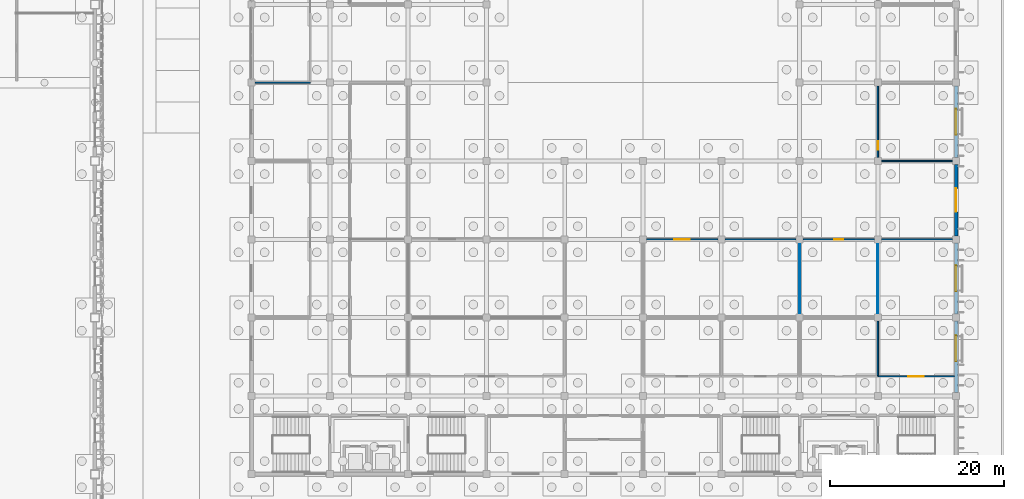
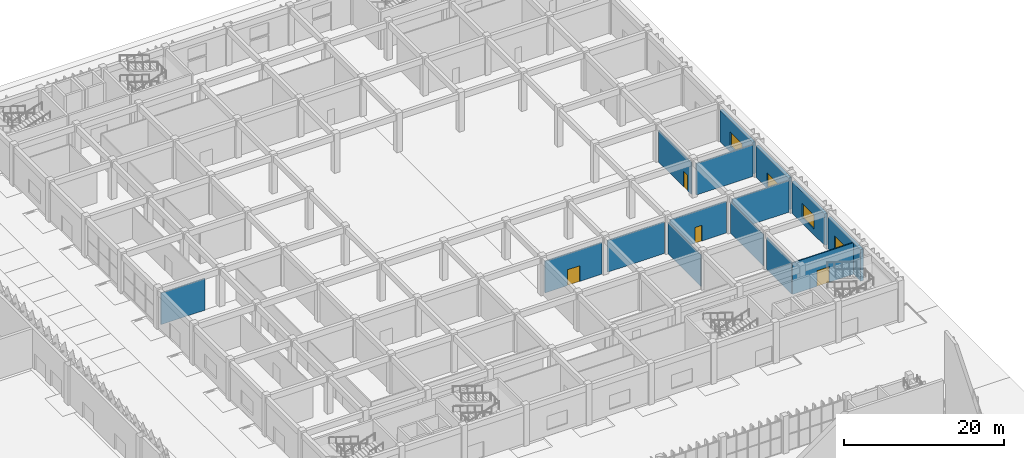
# One storey, part 104 of 198: 15 walls, 5 doors, 3 windows, 8 openings.
"""IFC4 building model written with IfcOpenShell, lengths in metres."""

from ifc_helpers import new_model, si_unit, direction, frame, frame_2d, origin, place, context, subcontext, project, spatial, rectangle, extrude, material, layer, layer_set, type_object, element, fill, save


model = new_model("IFC4")

# Units and contexts
model_context = context("Model", 3, precision=1e-05, world=origin(), true_north=direction((0.0, 1.0)))
body_context = subcontext(model_context, "Body", "Model", "MODEL_VIEW")
ifc_project = project(units=[si_unit("LENGTHUNIT", "METRE"), si_unit("AREAUNIT", "SQUARE_METRE"), si_unit("VOLUMEUNIT", "CUBIC_METRE"), si_unit("PLANEANGLEUNIT", "RADIAN"), si_unit("MASSUNIT", "GRAM", prefix="KILO")], contexts=[model_context])

# Site, building, storey
site_placement = place(None, origin())
site = spatial("IfcSite", under=ifc_project, at=site_placement, CompositionType="ELEMENT")
building_placement = place(site_placement, origin())
building = spatial("IfcBuilding", under=site, at=building_placement, Name="Opaline Strait Convention Centre", CompositionType="ELEMENT")
storey_placement = place(building_placement, origin())
storey = spatial("IfcBuildingStorey", under=building, at=storey_placement, Name="L00", CompositionType="ELEMENT", Elevation=0.0)

# Wall
ifc_material_1 = material(Name="Gypsum board")
ifc_layer_1 = layer(ifc_material_1, 0.032470703125)
ifc_material_2 = material(Name="Steel stud and mineral wool", Category="steel")
ifc_layer_2 = layer(ifc_material_2, 0.0849609375)
ifc_layer_3 = layer(ifc_material_1, 0.032470703125)
ifc_layer_set_1 = layer_set([ifc_layer_1, ifc_layer_2, ifc_layer_3], Name="Gypsum board, Steel stud and mineral wool, Gypsum board")
wall_type_1 = type_object("IfcWallType", Name="Corridor partition 150 EI60", PredefinedType="PARTITIONING", material=ifc_layer_set_1)
wall_1_placement = place(storey_placement, frame((279.39990234375, 135.0, 0.0), z_axis=(0.0, 0.0, 1.0), x_axis=(1.0, 0.0, 0.0)))
element("IfcWall", 1, at=wall_1_placement, inside=storey, type_object=wall_type_1, Name="MPW1 partition Delegate Lounge 0.04 S", PredefinedType="PARTITIONING", context=body_context, shape_type="SweptSolid", body=[
    extrude(rectangle(XDim=6.35009765625, YDim=0.14990234375, at=frame_2d((3.175048828125, 0.0))), origin(), (0.0, 0.0, 1.0), 4.820068359375),
])

# Wall, opening, door
wall_2_placement = place(storey_placement, frame((324.39990234375, 117.0, 0.0), z_axis=(0.0, 0.0, 1.0), x_axis=(1.0, 0.0, 0.0)))
wall_2 = element("IfcWall", 2, at=wall_2_placement, inside=storey, type_object=wall_type_1, Name="MPW1 partition Delegate Lounge 0.17 N", PredefinedType="PARTITIONING", context=body_context, shape_type="SweptSolid", body=[
    extrude(rectangle(XDim=8.2001953125, YDim=0.14990234375, at=frame_2d((4.10009765625, 0.0))), origin(), (0.0, 0.0, 1.0), 4.820068359375),
])
opening_1_placement = place(wall_2_placement, frame((3.2001953125, 0.0, 0.0)))
opening_1 = element("IfcOpeningElement", 3, at=opening_1_placement, cuts=wall_2, Name="Opening M0-051", PredefinedType="OPENING", context=body_context, shape_type="SweptSolid", body=[
    extrude(rectangle(XDim=1.800048828125, YDim=2.39990234375, at=frame_2d((0.89990234375, 1.199951171875))), frame((0.0, 0.0849609375, 0.0), z_axis=(0.0, -1.0, 0.0), x_axis=(1.0, 0.0, 0.0)), (0.0, 0.0, 1.0), 0.169921875),
])
ifc_material_3 = material(Name="Solid-core timber leaf, steel frame door set", Category="steel")
door_type_1 = type_object("IfcDoorType", Name="Meeting room double door FD30 1800 x 2400", OperationType="DOUBLE_DOOR_SINGLE_SWING", PredefinedType="DOOR", material=ifc_material_3)
door_1_placement = place(opening_1_placement, origin())
door_1 = element("IfcDoor", 4, at=door_1_placement, inside=storey, type_object=door_type_1, Name="Door Delegate Lounge 0.17", ObjectType="MD7", OperationType="DOUBLE_DOOR_SINGLE_SWING", OverallHeight=2.39990234375, OverallWidth=1.800048828125, PredefinedType="DOOR", context=body_context, shape_type="SweptSolid", body=[
    extrude(rectangle(XDim=1.800048828125, YDim=2.39990234375, at=frame_2d((0.89990234375, 1.199951171875))), frame((0.0, 0.02490234375, 0.0), z_axis=(0.0, -1.0, 0.0), x_axis=(1.0, 0.0, 0.0)), (0.0, 0.0, 1.0), 0.050048828125),
])
fill(opening_1, door_1)

# Wall
wall_3_placement = place(storey_placement, frame((333.39990234375, 117.0, 0.0), z_axis=(0.0, 0.0, 1.0), x_axis=(1.0, 0.0, 0.0)))
element("IfcWall", 5, at=wall_3_placement, inside=storey, type_object=wall_type_1, Name="MPW1 partition Delegate Lounge 0.17 N", PredefinedType="PARTITIONING", context=body_context, shape_type="SweptSolid", body=[
    extrude(rectangle(XDim=8.2001953125, YDim=0.14990234375, at=frame_2d((4.10009765625, 0.0))), origin(), (0.0, 0.0, 1.0), 4.820068359375),
])

# Wall, opening, door
wall_4_placement = place(storey_placement, frame((342.39990234375, 117.0, 0.0), z_axis=(0.0, 0.0, 1.0), x_axis=(1.0, 0.0, 0.0)))
wall_4 = element("IfcWall", 6, at=wall_4_placement, inside=storey, type_object=wall_type_1, Name="MPW1 partition Medical Room 0.18 N", PredefinedType="PARTITIONING", context=body_context, shape_type="SweptSolid", body=[
    extrude(rectangle(XDim=8.2001953125, YDim=0.14990234375, at=frame_2d((4.10009765625, 0.0))), origin(), (0.0, 0.0, 1.0), 4.820068359375),
])
opening_2_placement = place(wall_4_placement, frame((3.60009765625, 0.0, 0.0)))
opening_2 = element("IfcOpeningElement", 7, at=opening_2_placement, cuts=wall_4, Name="Opening M0-052", PredefinedType="OPENING", context=body_context, shape_type="SweptSolid", body=[
    extrude(rectangle(XDim=1.0, YDim=2.39990234375, at=frame_2d((0.5, 1.199951171875))), frame((0.0, 0.0849609375, 0.0), z_axis=(0.0, -1.0, 0.0), x_axis=(1.0, 0.0, 0.0)), (0.0, 0.0, 1.0), 0.169921875),
])
door_type_2 = type_object("IfcDoorType", Name="Meeting room door FD30 1000 x 2400", OperationType="SINGLE_SWING_LEFT", PredefinedType="DOOR", material=ifc_material_3)
door_2_placement = place(opening_2_placement, origin())
door_2 = element("IfcDoor", 8, at=door_2_placement, inside=storey, type_object=door_type_2, Name="Door Medical Room 0.18", ObjectType="MD8", OperationType="SINGLE_SWING_LEFT", OverallHeight=2.39990234375, OverallWidth=1.0, PredefinedType="DOOR", context=body_context, shape_type="SweptSolid", body=[
    extrude(rectangle(XDim=1.0, YDim=2.39990234375, at=frame_2d((0.5, 1.199951171875))), frame((0.0, 0.02490234375, 0.0), z_axis=(0.0, -1.0, 0.0), x_axis=(1.0, 0.0, 0.0)), (0.0, 0.0, 1.0), 0.050048828125),
])
fill(opening_2, door_2)

# Wall
wall_5_placement = place(storey_placement, frame((351.39990234375, 126.0, 0.0), z_axis=(0.0, 0.0, 1.0), x_axis=(1.0, 0.0, 0.0)))
element("IfcWall", 9, at=wall_5_placement, inside=storey, type_object=wall_type_1, Name="MPW1 partition Press Room 0.24 S", PredefinedType="PARTITIONING", context=body_context, shape_type="SweptSolid", body=[
    extrude(rectangle(XDim=8.2001953125, YDim=0.14990234375, at=frame_2d((4.10009765625, 0.0))), origin(), (0.0, 0.0, 1.0), 4.820068359375),
])

# Wall, opening, door
wall_6_placement = place(storey_placement, frame((351.0, 126.39990234375, 0.0), z_axis=(0.0, 0.0, 1.0), x_axis=(0.0, 1.0, 0.0)))
wall_6 = element("IfcWall", 10, at=wall_6_placement, inside=storey, type_object=wall_type_1, Name="MPW1 partition Press Room 0.24 W", PredefinedType="PARTITIONING", context=body_context, shape_type="SweptSolid", body=[
    extrude(rectangle(XDim=8.2001953125, YDim=0.14990234375, at=frame_2d((4.10009765625, 0.0))), origin(), (0.0, 0.0, 1.0), 4.820068359375),
])
opening_3_placement = place(wall_6_placement, frame((0.89990234375, 0.0, 0.0)))
opening_3 = element("IfcOpeningElement", 11, at=opening_3_placement, cuts=wall_6, Name="Opening M0-057", PredefinedType="OPENING", context=body_context, shape_type="SweptSolid", body=[
    extrude(rectangle(XDim=1.0, YDim=2.39990234375, at=frame_2d((0.5, 1.199951171875))), frame((0.0, 0.0849609375, 0.0), z_axis=(0.0, -1.0, 0.0), x_axis=(1.0, 0.0, 0.0)), (0.0, 0.0, 1.0), 0.169921875),
])
door_3_placement = place(opening_3_placement, origin())
door_3 = element("IfcDoor", 12, at=door_3_placement, inside=storey, type_object=door_type_2, Name="Door Press Room 0.24", ObjectType="MD8", OperationType="SINGLE_SWING_LEFT", OverallHeight=2.39990234375, OverallWidth=1.0, PredefinedType="DOOR", context=body_context, shape_type="SweptSolid", body=[
    extrude(rectangle(XDim=1.0, YDim=2.39990234375, at=frame_2d((0.5, 1.199951171875))), frame((0.0, 0.02490234375, 0.0), z_axis=(0.0, -1.0, 0.0), x_axis=(1.0, 0.0, 0.0)), (0.0, 0.0, 1.0), 0.050048828125),
])
fill(opening_3, door_3)

wall_7_placement = place(storey_placement, frame((351.0, 101.25, 0.0), z_axis=(0.0, 0.0, 1.0), x_axis=(1.0, 0.0, 0.0)))
wall_7 = element("IfcWall", 13, at=wall_7_placement, inside=storey, type_object=wall_type_1, Name="MPW1 partition Business Services Desk 0.28 S", PredefinedType="PARTITIONING", context=body_context, shape_type="SweptSolid", body=[
    extrude(rectangle(XDim=8.800048828125, YDim=0.14990234375, at=frame_2d((4.39990234375, 0.0))), origin(), (0.0, 0.0, 1.0), 4.820068359375),
])
opening_4_placement = place(wall_7_placement, frame((3.5, 0.0, 0.0)))
opening_4 = element("IfcOpeningElement", 14, at=opening_4_placement, cuts=wall_7, Name="Opening M0-059", PredefinedType="OPENING", context=body_context, shape_type="SweptSolid", body=[
    extrude(rectangle(XDim=1.800048828125, YDim=2.39990234375, at=frame_2d((0.89990234375, 1.199951171875))), frame((0.0, 0.0849609375, 0.0), z_axis=(0.0, -1.0, 0.0), x_axis=(1.0, 0.0, 0.0)), (0.0, 0.0, 1.0), 0.169921875),
])
door_4_placement = place(opening_4_placement, frame((1.800048828125, 0.0, 0.0), z_axis=(0.0, 0.0, 1.0), x_axis=(-1.0, 0.0, 0.0)))
door_4 = element("IfcDoor", 15, at=door_4_placement, inside=storey, type_object=door_type_1, Name="Door Business Services Desk 0.28", ObjectType="MD7", OperationType="DOUBLE_DOOR_SINGLE_SWING", OverallHeight=2.39990234375, OverallWidth=1.800048828125, PredefinedType="DOOR", context=body_context, shape_type="SweptSolid", body=[
    extrude(rectangle(XDim=1.800048828125, YDim=2.39990234375, at=frame_2d((0.89990234375, 1.199951171875))), frame((0.0, 0.02490234375, 0.0), z_axis=(0.0, -1.0, 0.0), x_axis=(1.0, 0.0, 0.0)), (0.0, 0.0, 1.0), 0.050048828125),
])
fill(opening_4, door_4)

# Wall
wall_8_placement = place(storey_placement, frame((351.39990234375, 117.0, 0.0), z_axis=(0.0, 0.0, 1.0), x_axis=(1.0, 0.0, 0.0)))
element("IfcWall", 16, at=wall_8_placement, inside=storey, type_object=wall_type_1, Name="MPW1 partition Business Services Desk 0.28 N", PredefinedType="PARTITIONING", context=body_context, shape_type="SweptSolid", body=[
    extrude(rectangle(XDim=8.2001953125, YDim=0.14990234375, at=frame_2d((4.10009765625, 0.0))), origin(), (0.0, 0.0, 1.0), 4.820068359375),
])

# Wall, opening, window
ifc_material_4 = material(Name="Concrete C40 precast", Category="concrete")
ifc_layer_4 = layer(ifc_material_4, 0.10009765625)
ifc_material_5 = material(Name="Mineral wool insulation")
ifc_layer_5 = layer(ifc_material_5, 0.14990234375)
ifc_layer_6 = layer(ifc_material_4, 0.14990234375)
ifc_layer_set_2 = layer_set([ifc_layer_4, ifc_layer_5, ifc_layer_6], Name="Concrete C40 precast, Mineral wool insulation, Concrete C40 precast")
wall_type_2 = type_object("IfcWallType", Name="External wall 400 insulated precast EI60", PredefinedType="STANDARD", material=ifc_layer_set_2)
wall_9_placement = place(storey_placement, frame((360.0, 99.39990234375, 0.0), z_axis=(0.0, 0.0, 1.0), x_axis=(0.0, 1.0, 0.0)))
wall_9 = element("IfcWall", 17, at=wall_9_placement, inside=storey, type_object=wall_type_2, Name="External wall E L00 41/M", PredefinedType="STANDARD", context=body_context, shape_type="SweptSolid", body=[
    extrude(rectangle(XDim=8.2001953125, YDim=0.39990234375, at=frame_2d((4.10009765625, 0.0))), origin(), (0.0, 0.0, 1.0), 4.820068359375),
])
opening_5_placement = place(wall_9_placement, frame((3.5625, 0.0, 0.89990234375)))
opening_5 = element("IfcOpeningElement", 18, at=opening_5_placement, cuts=wall_9, Name="Opening MW2", PredefinedType="OPENING", context=body_context, shape_type="SweptSolid", body=[
    extrude(rectangle(XDim=3.0, YDim=2.10009765625, at=frame_2d((1.5, 1.050048828125))), frame((0.0, 0.2099609375, 0.0), z_axis=(0.0, -1.0, 0.0), x_axis=(1.0, 0.0, 0.0)), (0.0, 0.0, 1.0), 0.419921875),
])
ifc_material_6 = material(Name="Aluminium framed double glazing", Category="aluminium")
window_type = type_object("IfcWindowType", Name="Window 3000 x 2100", PartitioningType="TRIPLE_PANEL_VERTICAL", PredefinedType="WINDOW", material=ifc_material_6)
window_1_placement = place(opening_5_placement, origin())
window_1 = element("IfcWindow", 19, at=window_1_placement, inside=storey, type_object=window_type, Name="Window Business Services Desk 0.28 E", OverallHeight=2.10009765625, OverallWidth=3.0, PartitioningType="TRIPLE_PANEL_VERTICAL", PredefinedType="WINDOW", context=body_context, shape_type="SweptSolid", body=[
    extrude(rectangle(XDim=3.0, YDim=2.10009765625, at=frame_2d((1.5, 1.050048828125))), frame((0.0, 0.030029296875, 0.0), z_axis=(0.0, -1.0, 0.0), x_axis=(1.0, 0.0, 0.0)), (0.0, 0.0, 1.0), 0.06005859375),
])
fill(opening_5, window_1)

wall_10_placement = place(storey_placement, frame((360.0, 108.39990234375, 0.0), z_axis=(0.0, 0.0, 1.0), x_axis=(0.0, 1.0, 0.0)))
wall_10 = element("IfcWall", 20, at=wall_10_placement, inside=storey, type_object=wall_type_2, Name="External wall E L00 41/N", PredefinedType="STANDARD", context=body_context, shape_type="SweptSolid", body=[
    extrude(rectangle(XDim=8.2001953125, YDim=0.39990234375, at=frame_2d((4.10009765625, 0.0))), origin(), (0.0, 0.0, 1.0), 4.820068359375),
])
opening_6_placement = place(wall_10_placement, frame((2.60009765625, 0.0, 0.89990234375)))
opening_6 = element("IfcOpeningElement", 21, at=opening_6_placement, cuts=wall_10, Name="Opening MW2", PredefinedType="OPENING", context=body_context, shape_type="SweptSolid", body=[
    extrude(rectangle(XDim=3.0, YDim=2.10009765625, at=frame_2d((1.5, 1.050048828125))), frame((0.0, 0.2099609375, 0.0), z_axis=(0.0, -1.0, 0.0), x_axis=(1.0, 0.0, 0.0)), (0.0, 0.0, 1.0), 0.419921875),
])
window_2_placement = place(opening_6_placement, origin())
window_2 = element("IfcWindow", 22, at=window_2_placement, inside=storey, type_object=window_type, Name="Window Business Services Desk 0.28 E", OverallHeight=2.10009765625, OverallWidth=3.0, PartitioningType="TRIPLE_PANEL_VERTICAL", PredefinedType="WINDOW", context=body_context, shape_type="SweptSolid", body=[
    extrude(rectangle(XDim=3.0, YDim=2.10009765625, at=frame_2d((1.5, 1.050048828125))), frame((0.0, 0.030029296875, 0.0), z_axis=(0.0, -1.0, 0.0), x_axis=(1.0, 0.0, 0.0)), (0.0, 0.0, 1.0), 0.06005859375),
])
fill(opening_6, window_2)

# Wall, opening, door
wall_11_placement = place(storey_placement, frame((360.0, 117.39990234375, 0.0), z_axis=(0.0, 0.0, 1.0), x_axis=(0.0, 1.0, 0.0)))
wall_11 = element("IfcWall", 23, at=wall_11_placement, inside=storey, type_object=wall_type_2, Name="External wall E L00 41/P", PredefinedType="STANDARD", context=body_context, shape_type="SweptSolid", body=[
    extrude(rectangle(XDim=8.2001953125, YDim=0.39990234375, at=frame_2d((4.10009765625, 0.0))), origin(), (0.0, 0.0, 1.0), 4.820068359375),
])
opening_7_placement = place(wall_11_placement, frame((2.75, 0.0, 0.0)))
opening_7 = element("IfcOpeningElement", 24, at=opening_7_placement, cuts=wall_11, Name="Opening M0-015", PredefinedType="OPENING", context=body_context, shape_type="SweptSolid", body=[
    extrude(rectangle(XDim=2.699951171875, YDim=2.39990234375, at=frame_2d((1.35009765625, 1.199951171875))), frame((0.0, 0.2099609375, 0.0), z_axis=(0.0, -1.0, 0.0), x_axis=(1.0, 0.0, 0.0)), (0.0, 0.0, 1.0), 0.419921875),
])
ifc_material_7 = material(Name="Fire-resisting glazed aluminium door", Category="aluminium")
door_type_3 = type_object("IfcDoorType", Name="Exit double door FD60 2700 x 2400", OperationType="DOUBLE_DOOR_SINGLE_SWING", PredefinedType="DOOR", material=ifc_material_7)
door_5_placement = place(opening_7_placement, frame((2.699951171875, 0.0, 0.0), z_axis=(0.0, 0.0, 1.0), x_axis=(-1.0, 0.0, 0.0)))
door_5 = element("IfcDoor", 25, at=door_5_placement, inside=storey, type_object=door_type_3, Name="Exit door Exit Lobby 0.23", ObjectType="MD3", OperationType="DOUBLE_DOOR_SINGLE_SWING", OverallHeight=2.39990234375, OverallWidth=2.699951171875, PredefinedType="DOOR", context=body_context, shape_type="SweptSolid", body=[
    extrude(rectangle(XDim=2.699951171875, YDim=2.39990234375, at=frame_2d((1.35009765625, 1.199951171875))), frame((0.0, 0.02490234375, 0.0), z_axis=(0.0, -1.0, 0.0), x_axis=(1.0, 0.0, 0.0)), (0.0, 0.0, 1.0), 0.050048828125),
])
fill(opening_7, door_5)

# Wall, opening, window
wall_12_placement = place(storey_placement, frame((360.0, 126.39990234375, 0.0), z_axis=(0.0, 0.0, 1.0), x_axis=(0.0, 1.0, 0.0)))
wall_12 = element("IfcWall", 26, at=wall_12_placement, inside=storey, type_object=wall_type_2, Name="External wall E L00 41/Q", PredefinedType="STANDARD", context=body_context, shape_type="SweptSolid", body=[
    extrude(rectangle(XDim=8.2001953125, YDim=0.39990234375, at=frame_2d((4.10009765625, 0.0))), origin(), (0.0, 0.0, 1.0), 4.820068359375),
])
opening_8_placement = place(wall_12_placement, frame((2.60009765625, 0.0, 0.89990234375)))
opening_8 = element("IfcOpeningElement", 27, at=opening_8_placement, cuts=wall_12, Name="Opening MW2", PredefinedType="OPENING", context=body_context, shape_type="SweptSolid", body=[
    extrude(rectangle(XDim=3.0, YDim=2.10009765625, at=frame_2d((1.5, 1.050048828125))), frame((0.0, 0.2099609375, 0.0), z_axis=(0.0, -1.0, 0.0), x_axis=(1.0, 0.0, 0.0)), (0.0, 0.0, 1.0), 0.419921875),
])
window_3_placement = place(opening_8_placement, origin())
window_3 = element("IfcWindow", 28, at=window_3_placement, inside=storey, type_object=window_type, Name="Window Press Room 0.24 E", OverallHeight=2.10009765625, OverallWidth=3.0, PartitioningType="TRIPLE_PANEL_VERTICAL", PredefinedType="WINDOW", context=body_context, shape_type="SweptSolid", body=[
    extrude(rectangle(XDim=3.0, YDim=2.10009765625, at=frame_2d((1.5, 1.050048828125))), frame((0.0, 0.030029296875, 0.0), z_axis=(0.0, -1.0, 0.0), x_axis=(1.0, 0.0, 0.0)), (0.0, 0.0, 1.0), 0.06005859375),
])
fill(opening_8, window_3)

# Walls
ifc_layer_7 = layer(ifc_material_1, 0.032470703125)
ifc_layer_8 = layer(ifc_material_2, 0.0849609375)
ifc_layer_9 = layer(ifc_material_1, 0.032470703125)
ifc_layer_set_3 = layer_set([ifc_layer_7, ifc_layer_8, ifc_layer_9], Name="Gypsum board, Steel stud and mineral wool, Gypsum board")
wall_type_3 = type_object("IfcWallType", Name="Plant room partition 150 EI120", PredefinedType="PARTITIONING", material=ifc_layer_set_3)
wall_13_placement = place(storey_placement, frame((351.0, 101.324951171875, 0.0), z_axis=(0.0, 0.0, 1.0), x_axis=(0.0, 1.0, 0.0)))
element("IfcWall", 29, at=wall_13_placement, inside=storey, type_object=wall_type_3, Name="MPW3 partition Riser Room 0.15 E", PredefinedType="PARTITIONING", context=body_context, shape_type="SweptSolid", body=[
    extrude(rectangle(XDim=6.275146484375, YDim=0.14990234375, at=frame_2d((3.1376953125, 0.0))), origin(), (0.0, 0.0, 1.0), 4.820068359375),
])
ifc_layer_10 = layer(ifc_material_1, 0.012451171875)
ifc_layer_11 = layer(ifc_material_2, 0.074951171875)
ifc_layer_12 = layer(ifc_material_1, 0.012451171875)
ifc_layer_set_4 = layer_set([ifc_layer_10, ifc_layer_11, ifc_layer_12], Name="Gypsum board, Steel stud and mineral wool, Gypsum board")
wall_type_4 = type_object("IfcWallType", Name="Room partition 100 EI45", PredefinedType="PARTITIONING", material=ifc_layer_set_4)
for number, where, z_axis, x_axis, name in (
    (30, (342.0, 108.39990234375, 0.0), (0.0, 0.0, 1.0), (0.0, 1.0, 0.0), "MPW2 partition Delegate Lounge 0.17 E"),
    (31, (351.0, 108.39990234375, 0.0), (0.0, 0.0, 1.0), (0.0, 1.0, 0.0), "MPW2 partition Medical Room 0.18 E"),
):
    element("IfcWall", number, at=place(storey_placement, frame(where, z_axis=z_axis, x_axis=x_axis)), inside=storey, type_object=wall_type_4, Name=name, PredefinedType="PARTITIONING", context=body_context, shape_type="SweptSolid", body=[
        extrude(rectangle(XDim=8.2001953125, YDim=0.10009765625, at=frame_2d((4.10009765625, 0.0))), origin(), (0.0, 0.0, 1.0), 4.820068359375),
    ])

save(model, "model.ifc")
